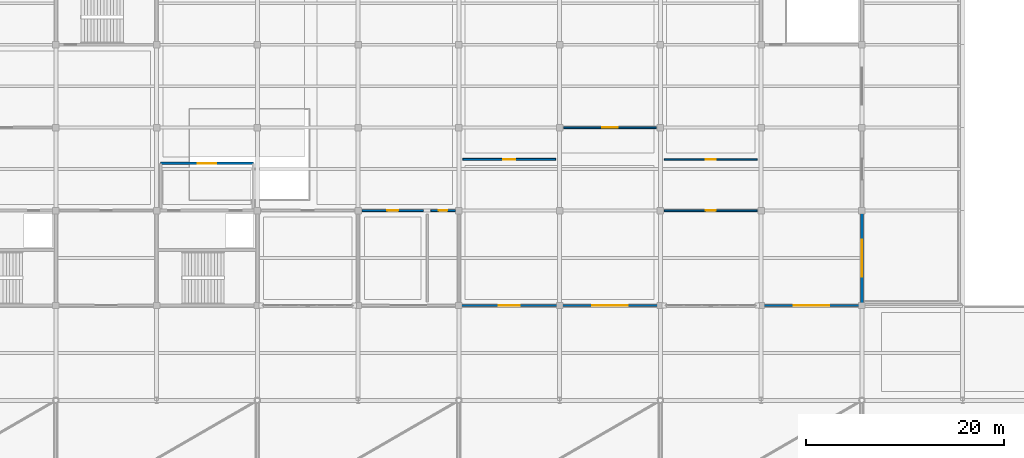
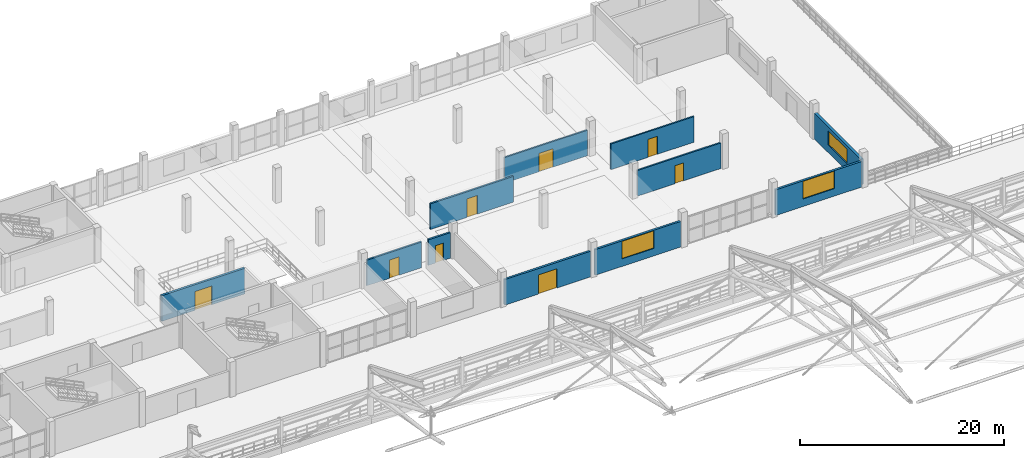
# One storey, part 123 of 135: 11 walls, 8 doors, 3 windows, 11 openings.
"""IFC4 building model written with IfcOpenShell, lengths in metres."""

from ifc_helpers import new_model, si_unit, direction, frame, frame_2d, origin, place, context, subcontext, project, spatial, rectangle, extrude, material, layer, layer_set, type_object, element, fill, save


model = new_model("IFC4")

# Units and contexts
model_context = context("Model", 3, precision=1e-05, world=origin(), true_north=direction((0.0, 1.0)))
body_context = subcontext(model_context, "Body", "Model", "MODEL_VIEW")
ifc_project = project(units=[si_unit("LENGTHUNIT", "METRE"), si_unit("AREAUNIT", "SQUARE_METRE"), si_unit("VOLUMEUNIT", "CUBIC_METRE"), si_unit("PLANEANGLEUNIT", "RADIAN"), si_unit("MASSUNIT", "GRAM", prefix="KILO")], contexts=[model_context])

# Site, building, storey
site_placement = place(None, origin())
site = spatial("IfcSite", under=ifc_project, at=site_placement, CompositionType="ELEMENT")
building_placement = place(site_placement, origin())
building = spatial("IfcBuilding", under=site, at=building_placement, Name="Brelvane Convention Centre", CompositionType="ELEMENT")
storey_placement = place(building_placement, frame((0.0, 0.0, 15.0)))
storey = spatial("IfcBuildingStorey", under=building, at=storey_placement, Name="L03", CompositionType="ELEMENT", Elevation=15.0)

# Wall, opening, door
ifc_material_1 = material(Name="Insulated Autoclaved Aerated Concrete Block Grade 1", Category="concrete")
ifc_layer_1 = layer(ifc_material_1, 0.239990234375)
ifc_layer_set_1 = layer_set([ifc_layer_1], Name="Insulated Autoclaved Aerated Concrete Block Grade 1")
wall_type_1 = type_object("IfcWallType", Name="Exterior Wall EW-03", PredefinedType="STANDARD", material=ifc_layer_set_1)
wall_1_placement = place(storey_placement, frame((61.43994140625, 109.199951171875, 0.0), z_axis=(0.0, 0.0, 1.0), x_axis=(1.0, 0.0, 0.0)))
wall_1 = element("IfcWall", 1, at=wall_1_placement, inside=storey, type_object=wall_type_1, Name="Exterior Wall L03 V4S-07", PredefinedType="STANDARD", context=body_context, shape_type="SweptSolid", body=[
    extrude(rectangle(XDim=9.719970703125, YDim=0.239990234375, at=frame_2d((4.85986328125, 0.0))), origin(), (0.0, 0.0, 1.0), 3.06005859375),
])
opening_1_placement = place(wall_1_placement, frame((3.81005859375, 0.0, 0.0)))
opening_1 = element("IfcOpeningElement", 2, at=opening_1_placement, cuts=wall_1, Name="Opening DR-TR-01", PredefinedType="OPENING", context=body_context, shape_type="SweptSolid", body=[
    extrude(rectangle(XDim=2.10009765625, YDim=2.300048828125, at=frame_2d((1.050048828125, 1.14990234375))), frame((0.0, 0.1298828125, 0.0), z_axis=(0.0, -1.0, 0.0), x_axis=(1.0, 0.0, 0.0)), (0.0, 0.0, 1.0), 0.260009765625),
])
ifc_material_2 = material(Name="Anodised Aluminium Alloy 6063-T6", Category="aluminium")
door_type_1 = type_object("IfcDoorType", Name="Exterior Door DR-TR-01", OperationType="NOTDEFINED", PredefinedType="DOOR", material=ifc_material_2)
door_1_placement = place(opening_1_placement, frame((2.10009765625, 0.0, 0.0), z_axis=(0.0, 0.0, 1.0), x_axis=(-1.0, 0.0, 0.0)))
door_1 = element("IfcDoor", 3, at=door_1_placement, inside=storey, type_object=door_type_1, Name="Terrace Exit Door RG-COURT-7 (DR-TR-01)", OperationType="DOUBLE_DOOR_SINGLE_SWING", OverallHeight=2.300048828125, OverallWidth=2.10009765625, PredefinedType="DOOR", context=body_context, shape_type="SweptSolid", body=[
    extrude(rectangle(XDim=2.10009765625, YDim=2.300048828125, at=frame_2d((1.050048828125, 1.14990234375))), frame((0.0, 0.02490234375, 0.0), z_axis=(0.0, -1.0, 0.0), x_axis=(1.0, 0.0, 0.0)), (0.0, 0.0, 1.0), 0.050048828125),
])
fill(opening_1, door_1)

# Wall, opening, window
wall_2_placement = place(storey_placement, frame((71.639892578125, 109.199951171875, 0.0), z_axis=(0.0, 0.0, 1.0), x_axis=(1.0, 0.0, 0.0)))
wall_2 = element("IfcWall", 4, at=wall_2_placement, inside=storey, type_object=wall_type_1, Name="Exterior Wall L03 V4S-08", PredefinedType="STANDARD", context=body_context, shape_type="SweptSolid", body=[
    extrude(rectangle(XDim=9.72021484375, YDim=0.239990234375, at=frame_2d((4.860107421875, 0.0))), origin(), (0.0, 0.0, 1.0), 3.06005859375),
])
opening_2_placement = place(wall_2_placement, frame((3.06005859375, 0.0, 0.89990234375)))
opening_2 = element("IfcOpeningElement", 5, at=opening_2_placement, cuts=wall_2, Name="Opening WN-03", PredefinedType="OPENING", context=body_context, shape_type="SweptSolid", body=[
    extrude(rectangle(XDim=3.60009765625, YDim=2.10009765625, at=frame_2d((1.800048828125, 1.050048828125))), frame((0.0, 0.1298828125, 0.0), z_axis=(0.0, -1.0, 0.0), x_axis=(1.0, 0.0, 0.0)), (0.0, 0.0, 1.0), 0.260009765625),
])
ifc_material_3 = material(Name="Double Glazed Low-E Laminated Unit")
window_type_1 = type_object("IfcWindowType", Name="Window WN-03", PartitioningType="TRIPLE_PANEL_VERTICAL", PredefinedType="WINDOW", material=ifc_material_3)
window_1_placement = place(opening_2_placement, origin())
window_1 = element("IfcWindow", 6, at=window_1_placement, inside=storey, type_object=window_type_1, Name="Facade Window L03-V4S-08-050", OverallHeight=2.10009765625, OverallWidth=3.60009765625, PartitioningType="TRIPLE_PANEL_VERTICAL", PredefinedType="WINDOW", context=body_context, shape_type="SweptSolid", body=[
    extrude(rectangle(XDim=3.60009765625, YDim=2.10009765625, at=frame_2d((1.800048828125, 1.050048828125))), frame((0.0, 0.030029296875, 0.0), z_axis=(0.0, -1.0, 0.0), x_axis=(1.0, 0.0, 0.0)), (0.0, 0.0, 1.0), 0.06005859375),
])
fill(opening_2, window_1)

wall_3_placement = place(storey_placement, frame((92.0400390625, 109.199951171875, 0.0), z_axis=(0.0, 0.0, 1.0), x_axis=(1.0, 0.0, 0.0)))
wall_3 = element("IfcWall", 7, at=wall_3_placement, inside=storey, type_object=wall_type_1, Name="Exterior Wall L03 V4S-10", PredefinedType="STANDARD", context=body_context, shape_type="SweptSolid", body=[
    extrude(rectangle(XDim=9.719970703125, YDim=0.239990234375, at=frame_2d((4.85986328125, 0.0))), origin(), (0.0, 0.0, 1.0), 3.06005859375),
])
opening_3_placement = place(wall_3_placement, frame((3.06005859375, 0.0, 0.89990234375)))
opening_3 = element("IfcOpeningElement", 8, at=opening_3_placement, cuts=wall_3, Name="Opening WN-03", PredefinedType="OPENING", context=body_context, shape_type="SweptSolid", body=[
    extrude(rectangle(XDim=3.60009765625, YDim=2.10009765625, at=frame_2d((1.800048828125, 1.050048828125))), frame((0.0, 0.1298828125, 0.0), z_axis=(0.0, -1.0, 0.0), x_axis=(1.0, 0.0, 0.0)), (0.0, 0.0, 1.0), 0.260009765625),
])
window_2_placement = place(opening_3_placement, origin())
window_2 = element("IfcWindow", 9, at=window_2_placement, inside=storey, type_object=window_type_1, Name="Facade Window L03-V4S-10-053", OverallHeight=2.10009765625, OverallWidth=3.60009765625, PartitioningType="TRIPLE_PANEL_VERTICAL", PredefinedType="WINDOW", context=body_context, shape_type="SweptSolid", body=[
    extrude(rectangle(XDim=3.60009765625, YDim=2.10009765625, at=frame_2d((1.800048828125, 1.050048828125))), frame((0.0, 0.030029296875, 0.0), z_axis=(0.0, -1.0, 0.0), x_axis=(1.0, 0.0, 0.0)), (0.0, 0.0, 1.0), 0.06005859375),
])
fill(opening_3, window_2)

ifc_material_4 = material(Name="Insulated Autoclaved Aerated Concrete Block Grade 1", Category="concrete")
ifc_layer_2 = layer(ifc_material_4, 0.304931640625)
ifc_layer_set_2 = layer_set([ifc_layer_2], Name="Insulated Autoclaved Aerated Concrete Block Grade 1")
wall_type_2 = type_object("IfcWallType", Name="Exterior Wall EW-11", PredefinedType="STANDARD", material=ifc_layer_set_2)
wall_4_placement = place(storey_placement, frame((102.0, 109.43994140625, 0.0), z_axis=(0.0, 0.0, 1.0), x_axis=(0.0, 1.0, 0.0)))
wall_4 = element("IfcWall", 10, at=wall_4_placement, inside=storey, type_object=wall_type_2, Name="Exterior Wall L03 V4E-1", PredefinedType="STANDARD", context=body_context, shape_type="SweptSolid", body=[
    extrude(rectangle(XDim=9.1201171875, YDim=0.304931640625, at=frame_2d((4.56005859375, 0.0))), origin(), (0.0, 0.0, 1.0), 3.06005859375),
])
opening_4_placement = place(wall_4_placement, frame((2.68505859375, 0.0, 0.89990234375)))
opening_4 = element("IfcOpeningElement", 11, at=opening_4_placement, cuts=wall_4, Name="Opening WN-17", PredefinedType="OPENING", context=body_context, shape_type="SweptSolid", body=[
    extrude(rectangle(XDim=3.75, YDim=1.719970703125, at=frame_2d((1.875, 0.85986328125))), frame((0.0, 0.162353515625, 0.0), z_axis=(0.0, -1.0, 0.0), x_axis=(1.0, 0.0, 0.0)), (0.0, 0.0, 1.0), 0.324951171875),
])
ifc_material_5 = material(Name="Double Glazed Low-E Laminated Unit")
window_type_2 = type_object("IfcWindowType", Name="Window WN-17", PartitioningType="TRIPLE_PANEL_VERTICAL", PredefinedType="WINDOW", material=ifc_material_5)
window_3_placement = place(opening_4_placement, origin())
window_3 = element("IfcWindow", 12, at=window_3_placement, inside=storey, type_object=window_type_2, Name="Facade Window L03-V4E-1-054", OverallHeight=1.719970703125, OverallWidth=3.75, PartitioningType="TRIPLE_PANEL_VERTICAL", PredefinedType="WINDOW", context=body_context, shape_type="SweptSolid", body=[
    extrude(rectangle(XDim=3.75, YDim=1.719970703125, at=frame_2d((1.875, 0.85986328125))), frame((0.0, 0.030029296875, 0.0), z_axis=(0.0, -1.0, 0.0), x_axis=(1.0, 0.0, 0.0)), (0.0, 0.0, 1.0), 0.06005859375),
])
fill(opening_4, window_3)

# Wall, opening, door
ifc_material_6 = material(Name="Fire-Rated Acoustic Gypsum Partition Board Grade A")
ifc_layer_3 = layer(ifc_material_6, 0.1650390625)
ifc_layer_set_3 = layer_set([ifc_layer_3], Name="Fire-Rated Acoustic Gypsum Partition Board Grade A")
wall_type_3 = type_object("IfcWallType", Name="Interior Wall IW-AC-165", PredefinedType="PARTITIONING", material=ifc_layer_set_3)
wall_5_placement = place(storey_placement, frame((82.0, 124.0, 0.0), z_axis=(0.0, 0.0, 1.0), x_axis=(1.0, 0.0, 0.0)))
wall_5 = element("IfcWall", 13, at=wall_5_placement, inside=storey, type_object=wall_type_3, Name="Interior Partition L03-CRST", PredefinedType="PARTITIONING", context=body_context, shape_type="SweptSolid", body=[
    extrude(rectangle(XDim=9.39990234375, YDim=0.1650390625, at=frame_2d((4.699951171875, 0.0))), origin(), (0.0, 0.0, 1.0), 3.06005859375),
])
opening_5_placement = place(wall_5_placement, frame((4.175048828125, 0.0, 0.0)))
opening_5 = element("IfcOpeningElement", 14, at=opening_5_placement, cuts=wall_5, Name="Opening DR-IN-01R", PredefinedType="OPENING", context=body_context, shape_type="SweptSolid", body=[
    extrude(rectangle(XDim=1.050048828125, YDim=2.14990234375, at=frame_2d((0.52490234375, 1.074951171875))), frame((0.0, 0.092529296875, 0.0), z_axis=(0.0, -1.0, 0.0), x_axis=(1.0, 0.0, 0.0)), (0.0, 0.0, 1.0), 0.18505859375),
])
ifc_material_7 = material(Name="Solid-Core Fire-Rated Hardwood Leaf Grade 1", Category="wood")
door_type_2 = type_object("IfcDoorType", Name="Interior Door DR-IN-01R", OperationType="NOTDEFINED", PredefinedType="DOOR", material=ifc_material_7)
door_2_placement = place(opening_5_placement, origin())
door_2 = element("IfcDoor", 15, at=door_2_placement, inside=storey, type_object=door_type_2, Name="Interior Door L03-CRST (DR-IN-01R)", OperationType="SINGLE_SWING_RIGHT", OverallHeight=2.14990234375, OverallWidth=1.050048828125, PredefinedType="DOOR", context=body_context, shape_type="SweptSolid", body=[
    extrude(rectangle(XDim=1.050048828125, YDim=2.14990234375, at=frame_2d((0.52490234375, 1.074951171875))), frame((0.0, 0.02490234375, 0.0), z_axis=(0.0, -1.0, 0.0), x_axis=(1.0, 0.0, 0.0)), (0.0, 0.0, 1.0), 0.050048828125),
])
fill(opening_5, door_2)

ifc_material_8 = material(Name="Fire-Rated Acoustic Gypsum Partition Board Grade A")
ifc_layer_4 = layer(ifc_material_8, 0.175048828125)
ifc_layer_set_4 = layer_set([ifc_layer_4], Name="Fire-Rated Acoustic Gypsum Partition Board Grade A")
wall_type_4 = type_object("IfcWallType", Name="Interior Wall IW-AC-175", PredefinedType="PARTITIONING", material=ifc_layer_set_4)
wall_6_placement = place(storey_placement, frame((82.0, 118.800048828125, 0.0), z_axis=(0.0, 0.0, 1.0), x_axis=(1.0, 0.0, 0.0)))
wall_6 = element("IfcWall", 16, at=wall_6_placement, inside=storey, type_object=wall_type_4, Name="Interior Partition L03-SECR", PredefinedType="PARTITIONING", context=body_context, shape_type="SweptSolid", body=[
    extrude(rectangle(XDim=9.39990234375, YDim=0.175048828125, at=frame_2d((4.699951171875, 0.0))), origin(), (0.0, 0.0, 1.0), 3.06005859375),
])
opening_6_placement = place(wall_6_placement, frame((4.199951171875, 0.0, 0.0)))
opening_6 = element("IfcOpeningElement", 17, at=opening_6_placement, cuts=wall_6, Name="Opening DR-IN-01L", PredefinedType="OPENING", context=body_context, shape_type="SweptSolid", body=[
    extrude(rectangle(XDim=1.0, YDim=2.14990234375, at=frame_2d((0.5, 1.074951171875))), frame((0.0, 0.097412109375, 0.0), z_axis=(0.0, -1.0, 0.0), x_axis=(1.0, 0.0, 0.0)), (0.0, 0.0, 1.0), 0.195068359375),
])
ifc_material_9 = material(Name="Solid-Core Fire-Rated Hardwood Leaf Grade 1", Category="wood")
door_type_3 = type_object("IfcDoorType", Name="Interior Door DR-IN-01L", OperationType="NOTDEFINED", PredefinedType="DOOR", material=ifc_material_9)
door_3_placement = place(opening_6_placement, origin())
door_3 = element("IfcDoor", 18, at=door_3_placement, inside=storey, type_object=door_type_3, Name="Interior Door L03-SECR (DR-IN-01L)", OperationType="SINGLE_SWING_LEFT", OverallHeight=2.14990234375, OverallWidth=1.0, PredefinedType="DOOR", context=body_context, shape_type="SweptSolid", body=[
    extrude(rectangle(XDim=1.0, YDim=2.14990234375, at=frame_2d((0.5, 1.074951171875))), frame((0.0, 0.02490234375, 0.0), z_axis=(0.0, -1.0, 0.0), x_axis=(1.0, 0.0, 0.0)), (0.0, 0.0, 1.0), 0.050048828125),
])
fill(opening_6, door_3)

ifc_material_10 = material(Name="Fire-Rated Acoustic Gypsum Partition Board Grade A")
ifc_layer_5 = layer(ifc_material_10, 0.199951171875)
ifc_layer_set_5 = layer_set([ifc_layer_5], Name="Fire-Rated Acoustic Gypsum Partition Board Grade A")
wall_type_5 = type_object("IfcWallType", Name="Interior Wall IW-FR-200", PredefinedType="PARTITIONING", material=ifc_layer_set_5)
wall_7_placement = place(storey_placement, frame((51.39990234375, 118.800048828125, 0.0), z_axis=(0.0, 0.0, 1.0), x_axis=(1.0, 0.0, 0.0)))
wall_7 = element("IfcWall", 19, at=wall_7_placement, inside=storey, type_object=wall_type_5, Name="Interior Partition L03-WCF3", PredefinedType="PARTITIONING", context=body_context, shape_type="SweptSolid", body=[
    extrude(rectangle(XDim=6.2001953125, YDim=0.199951171875, at=frame_2d((3.10009765625, 0.0))), origin(), (0.0, 0.0, 1.0), 3.06005859375),
])
opening_7_placement = place(wall_7_placement, frame((2.5400390625, 0.0, 0.0)))
opening_7 = element("IfcOpeningElement", 20, at=opening_7_placement, cuts=wall_7, Name="Opening DR-IN-13R", PredefinedType="OPENING", context=body_context, shape_type="SweptSolid", body=[
    extrude(rectangle(XDim=1.1201171875, YDim=2.179931640625, at=frame_2d((0.56005859375, 1.08984375))), frame((0.0, 0.10986328125, 0.0), z_axis=(0.0, -1.0, 0.0), x_axis=(1.0, 0.0, 0.0)), (0.0, 0.0, 1.0), 0.219970703125),
])
ifc_material_11 = material(Name="Solid-Core Fire-Rated Hardwood Leaf Grade 1", Category="wood")
door_type_4 = type_object("IfcDoorType", Name="Interior Door DR-IN-13R", OperationType="NOTDEFINED", PredefinedType="DOOR", material=ifc_material_11)
door_4_placement = place(opening_7_placement, origin())
door_4 = element("IfcDoor", 21, at=door_4_placement, inside=storey, type_object=door_type_4, Name="Interior Door L03-WCF3 (DR-IN-13R)", OperationType="SINGLE_SWING_RIGHT", OverallHeight=2.179931640625, OverallWidth=1.1201171875, PredefinedType="DOOR", context=body_context, shape_type="SweptSolid", body=[
    extrude(rectangle(XDim=1.1201171875, YDim=2.179931640625, at=frame_2d((0.56005859375, 1.08984375))), frame((0.0, 0.02490234375, 0.0), z_axis=(0.0, -1.0, 0.0), x_axis=(1.0, 0.0, 0.0)), (0.0, 0.0, 1.0), 0.050048828125),
])
fill(opening_7, door_4)

wall_8_placement = place(storey_placement, frame((61.60009765625, 124.0, 0.0), z_axis=(0.0, 0.0, 1.0), x_axis=(1.0, 0.0, 0.0)))
wall_8 = element("IfcWall", 22, at=wall_8_placement, inside=storey, type_object=wall_type_5, Name="Interior Partition L03-MT401", PredefinedType="PARTITIONING", context=body_context, shape_type="SweptSolid", body=[
    extrude(rectangle(XDim=9.39990234375, YDim=0.199951171875, at=frame_2d((4.699951171875, 0.0))), origin(), (0.0, 0.0, 1.0), 3.06005859375),
])
opening_8_placement = place(wall_8_placement, frame((4.110107421875, 0.0, 0.0)))
opening_8 = element("IfcOpeningElement", 23, at=opening_8_placement, cuts=wall_8, Name="Opening DR-IN-14L", PredefinedType="OPENING", context=body_context, shape_type="SweptSolid", body=[
    extrude(rectangle(XDim=1.179931640625, YDim=2.219970703125, at=frame_2d((0.58984375, 1.10986328125))), frame((0.0, 0.10986328125, 0.0), z_axis=(0.0, -1.0, 0.0), x_axis=(1.0, 0.0, 0.0)), (0.0, 0.0, 1.0), 0.219970703125),
])
ifc_material_12 = material(Name="Galvanised Hollow-Metal Fire Door Steel E250", Category="steel")
door_type_5 = type_object("IfcDoorType", Name="Interior Door DR-IN-14L", OperationType="NOTDEFINED", PredefinedType="DOOR", material=ifc_material_12)
door_5_placement = place(opening_8_placement, origin())
door_5 = element("IfcDoor", 24, at=door_5_placement, inside=storey, type_object=door_type_5, Name="Interior Door L03-MT401 (DR-IN-14L)", OperationType="SINGLE_SWING_LEFT", OverallHeight=2.219970703125, OverallWidth=1.179931640625, PredefinedType="DOOR", context=body_context, shape_type="SweptSolid", body=[
    extrude(rectangle(XDim=1.179931640625, YDim=2.219970703125, at=frame_2d((0.58984375, 1.10986328125))), frame((0.0, 0.02490234375, 0.0), z_axis=(0.0, -1.0, 0.0), x_axis=(1.0, 0.0, 0.0)), (0.0, 0.0, 1.0), 0.050048828125),
])
fill(opening_8, door_5)

wall_9_placement = place(storey_placement, frame((58.360107421875, 118.800048828125, 0.0), z_axis=(0.0, 0.0, 1.0), x_axis=(1.0, 0.0, 0.0)))
wall_9 = element("IfcWall", 25, at=wall_9_placement, inside=storey, type_object=wall_type_5, Name="Interior Partition L03-WC-ACCL3", PredefinedType="PARTITIONING", context=body_context, shape_type="SweptSolid", body=[
    extrude(rectangle(XDim=2.47998046875, YDim=0.199951171875, at=frame_2d((1.239990234375, 0.0))), origin(), (0.0, 0.0, 1.0), 3.06005859375),
])
opening_9_placement = place(wall_9_placement, frame((0.800048828125, 0.0, 0.0)))
opening_9 = element("IfcOpeningElement", 26, at=opening_9_placement, cuts=wall_9, Name="Opening DR-IN-11L", PredefinedType="OPENING", context=body_context, shape_type="SweptSolid", body=[
    extrude(rectangle(XDim=0.8798828125, YDim=2.080078125, at=frame_2d((0.43994140625, 1.0400390625))), frame((0.0, 0.10986328125, 0.0), z_axis=(0.0, -1.0, 0.0), x_axis=(1.0, 0.0, 0.0)), (0.0, 0.0, 1.0), 0.219970703125),
])
ifc_material_13 = material(Name="Solid-Core Fire-Rated Hardwood Leaf Grade 1", Category="wood")
door_type_6 = type_object("IfcDoorType", Name="Interior Door DR-IN-11L", OperationType="NOTDEFINED", PredefinedType="DOOR", material=ifc_material_13)
door_6_placement = place(opening_9_placement, origin())
door_6 = element("IfcDoor", 27, at=door_6_placement, inside=storey, type_object=door_type_6, Name="Interior Door L03-WC-ACCL3 (DR-IN-11L)", OperationType="SINGLE_SWING_LEFT", OverallHeight=2.080078125, OverallWidth=0.8798828125, PredefinedType="DOOR", context=body_context, shape_type="SweptSolid", body=[
    extrude(rectangle(XDim=0.8798828125, YDim=2.080078125, at=frame_2d((0.43994140625, 1.0400390625))), frame((0.0, 0.02490234375, 0.0), z_axis=(0.0, -1.0, 0.0), x_axis=(1.0, 0.0, 0.0)), (0.0, 0.0, 1.0), 0.050048828125),
])
fill(opening_9, door_6)

ifc_material_14 = material(Name="Concrete M40", Category="concrete")
ifc_layer_6 = layer(ifc_material_14, 0.239990234375)
ifc_layer_set_6 = layer_set([ifc_layer_6], Name="Concrete M40")
wall_type_6 = type_object("IfcWallType", Name="Interior Wall IW-FR-240", PredefinedType="PARTITIONING", material=ifc_layer_set_6)
wall_10_placement = place(storey_placement, frame((31.0, 123.60009765625, 0.0), z_axis=(0.0, 0.0, 1.0), x_axis=(1.0, 0.0, 0.0)))
wall_10 = element("IfcWall", 28, at=wall_10_placement, inside=storey, type_object=wall_type_6, Name="Firefighting Lobby C7 Wall N (L03)", PredefinedType="PARTITIONING", context=body_context, shape_type="SweptSolid", body=[
    extrude(rectangle(XDim=9.39990234375, YDim=0.239990234375, at=frame_2d((4.699951171875, 0.0))), origin(), (0.0, 0.0, 1.0), 3.06005859375),
])
opening_10_placement = place(wall_10_placement, frame((3.75, 0.0, 0.0)))
opening_10 = element("IfcOpeningElement", 29, at=opening_10_placement, cuts=wall_10, Name="Opening DR-FL-01", PredefinedType="OPENING", context=body_context, shape_type="SweptSolid", body=[
    extrude(rectangle(XDim=1.89990234375, YDim=2.25, at=frame_2d((0.949951171875, 1.125))), frame((0.0, 0.1298828125, 0.0), z_axis=(0.0, -1.0, 0.0), x_axis=(1.0, 0.0, 0.0)), (0.0, 0.0, 1.0), 0.260009765625),
])
ifc_material_15 = material(Name="Galvanised Hollow-Metal Fire Door Steel E250", Category="steel")
door_type_7 = type_object("IfcDoorType", Name="Interior Door DR-FL-01", OperationType="NOTDEFINED", PredefinedType="DOOR", material=ifc_material_15)
door_7_placement = place(opening_10_placement, origin())
door_7 = element("IfcDoor", 30, at=door_7_placement, inside=storey, type_object=door_type_7, Name="Firefighting Lobby C7 Smoke Door (L03)", OperationType="DOUBLE_DOOR_SINGLE_SWING", OverallHeight=2.25, OverallWidth=1.89990234375, PredefinedType="DOOR", context=body_context, shape_type="SweptSolid", body=[
    extrude(rectangle(XDim=1.89990234375, YDim=2.25, at=frame_2d((0.949951171875, 1.125))), frame((0.0, 0.02490234375, 0.0), z_axis=(0.0, -1.0, 0.0), x_axis=(1.0, 0.0, 0.0)), (0.0, 0.0, 1.0), 0.050048828125),
])
fill(opening_10, door_7)

ifc_material_16 = material(Name="Acoustic Operable Gypsum Composite Panel Board Class A")
ifc_layer_7 = layer(ifc_material_16, 0.169921875)
ifc_layer_set_7 = layer_set([ifc_layer_7], Name="Acoustic Operable Gypsum Composite Panel Board Class A")
wall_type_7 = type_object("IfcWallType", Name="Interior Wall IW-OP-170", PredefinedType="MOVABLE", material=ifc_layer_set_7)
wall_11_placement = place(storey_placement, frame((71.800048828125, 127.199951171875, 0.0), z_axis=(0.0, 0.0, 1.0), x_axis=(1.0, 0.0, 0.0)))
wall_11 = element("IfcWall", 31, at=wall_11_placement, inside=storey, type_object=wall_type_7, Name="Operable Wall L03-MEET-OP7", PredefinedType="MOVABLE", context=body_context, shape_type="SweptSolid", body=[
    extrude(rectangle(XDim=9.39990234375, YDim=0.169921875, at=frame_2d((4.699951171875, 0.0))), origin(), (0.0, 0.0, 1.0), 3.06005859375),
])
opening_11_placement = place(wall_11_placement, frame((3.89990234375, 0.0, 0.0)))
opening_11 = element("IfcOpeningElement", 32, at=opening_11_placement, cuts=wall_11, Name="Opening DR-FL-02", PredefinedType="OPENING", context=body_context, shape_type="SweptSolid", body=[
    extrude(rectangle(XDim=1.60009765625, YDim=2.199951171875, at=frame_2d((0.800048828125, 1.10009765625))), frame((0.0, 0.094970703125, 0.0), z_axis=(0.0, -1.0, 0.0), x_axis=(1.0, 0.0, 0.0)), (0.0, 0.0, 1.0), 0.18994140625),
])
ifc_material_17 = material(Name="Galvanised Hollow-Metal Fire Door Steel E250", Category="steel")
door_type_8 = type_object("IfcDoorType", Name="Interior Door DR-FL-02", OperationType="NOTDEFINED", PredefinedType="DOOR", material=ifc_material_17)
door_8_placement = place(opening_11_placement, origin())
door_8 = element("IfcDoor", 33, at=door_8_placement, inside=storey, type_object=door_type_8, Name="Interior Door L03-MEET-OP7 (DR-FL-02)", OperationType="DOUBLE_DOOR_SINGLE_SWING", OverallHeight=2.199951171875, OverallWidth=1.60009765625, PredefinedType="DOOR", context=body_context, shape_type="SweptSolid", body=[
    extrude(rectangle(XDim=1.60009765625, YDim=2.199951171875, at=frame_2d((0.800048828125, 1.10009765625))), frame((0.0, 0.02490234375, 0.0), z_axis=(0.0, -1.0, 0.0), x_axis=(1.0, 0.0, 0.0)), (0.0, 0.0, 1.0), 0.050048828125),
])
fill(opening_11, door_8)

save(model, "model.ifc")
